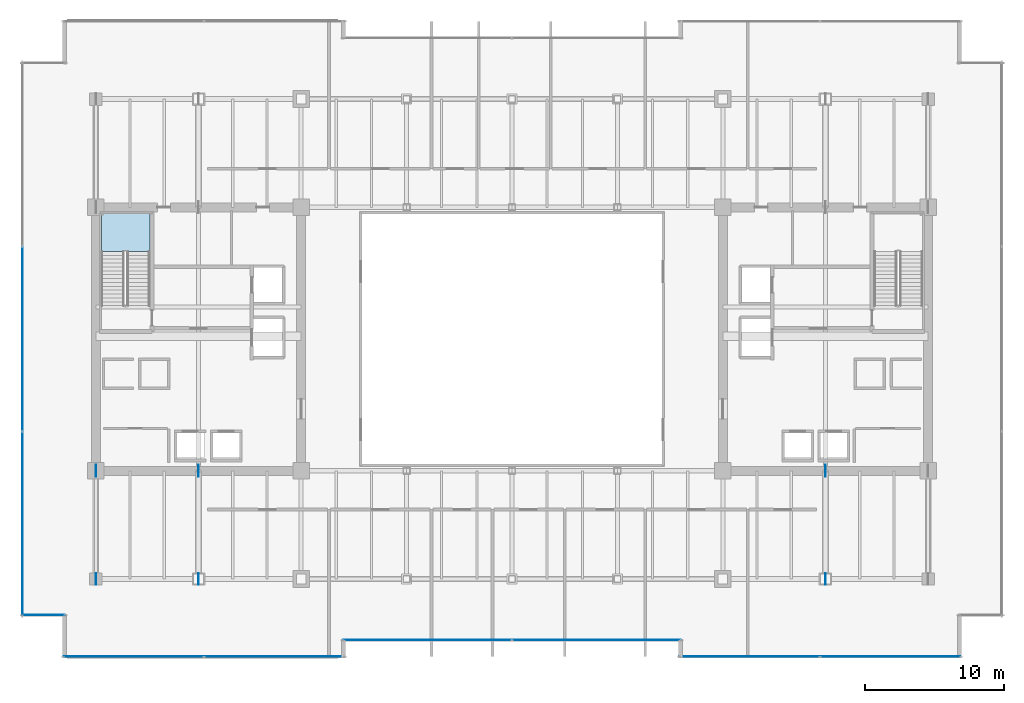
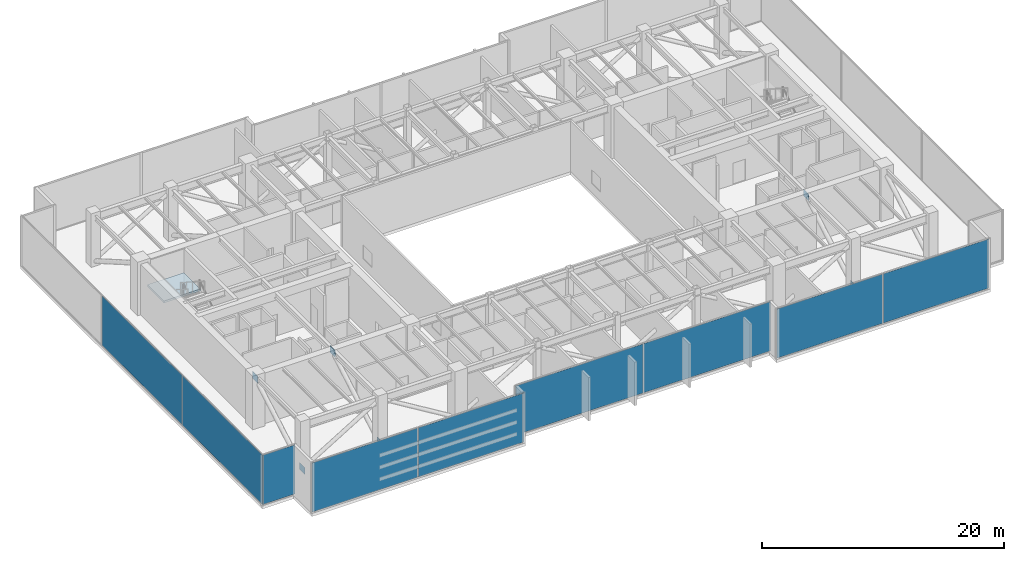
# One storey, part 24 of 34: 15 plates, 1 slab, 6 elements without a shape of their own.
"""IFC4 building model written with IfcOpenShell, lengths in metres."""

from ifc_helpers import new_model, si_unit, direction, frame, origin, origin_2d, place, context, subcontext, project, spatial, polyline, rectangle, outline, extrude, source, transform, mapped, material, layer, layer_set, type_object, type_shapes, element, aggregate, save


model = new_model("IFC4")

# Units and contexts
model_context = context("Model", 3, precision=1e-05, world=origin(), true_north=direction((0.0, 1.0)))
body_context = subcontext(model_context, "Body", "Model", "MODEL_VIEW")
ifc_project = project(units=[si_unit("LENGTHUNIT", "METRE"), si_unit("AREAUNIT", "SQUARE_METRE"), si_unit("VOLUMEUNIT", "CUBIC_METRE"), si_unit("PLANEANGLEUNIT", "RADIAN"), si_unit("MASSUNIT", "GRAM", prefix="KILO")], contexts=[model_context])

# Site, building, storey
site_placement = place(None, origin())
site = spatial("IfcSite", under=ifc_project, at=site_placement, CompositionType="ELEMENT")
building_placement = place(site_placement, origin())
building = spatial("IfcBuilding", under=site, at=building_placement, Name="Haelvirn Gate Laboratories", CompositionType="ELEMENT")
storey_placement = place(building_placement, frame((0.0, 0.0, 191.199951171875)))
storey = spatial("IfcBuildingStorey", under=building, at=storey_placement, Name="L46", CompositionType="ELEMENT", Elevation=191.199951171875)

# Stair, slab
ifc_material_1 = material(Name="Concrete C40/50", Category="concrete")
stair_type = type_object("IfcStairType", Name="ST-DOG-1650-R30", PredefinedType="HALF_TURN_STAIR", material=ifc_material_1)
stair_placement = place(storey_placement, origin())
stair = element("IfcStair", 1, at=stair_placement, inside=storey, type_object=stair_type, Name="L46 Escape Stair ST1", PredefinedType="HALF_TURN_STAIR")
ifc_layer_1 = layer(ifc_material_1, 0.199951171875, Name="SL-STAIR-LND")
ifc_layer_set_1 = layer_set([ifc_layer_1], Name="Concrete C40/50")
slab_type = type_object("IfcSlabType", Name="SL-STAIR-LND", PredefinedType="LANDING", material=ifc_layer_set_1)
slab_placement = place(storey_placement, frame((0.0, 0.0, 2.5)))
slab = element("IfcSlab", 2, at=slab_placement, type_object=slab_type, Name="ST1 landing 1", PredefinedType="LANDING", context=body_context, shape_type="SweptSolid", body=[
    extrude(outline(polyline([(11.300048828125, 30.6201171875), (11.300048828125, 33.35009765625), (7.800048828125, 33.35009765625), (7.800048828125, 30.6201171875), (11.300048828125, 30.6201171875)])), origin(), (0.0, 0.0, 1.0), 0.199951171875),
])
aggregate(stair, [slab])

# Plates
ifc_material_2 = material(Name="Steel SM420", Category="steel")
ifc_layer_2 = layer(ifc_material_2, 0.030029296875, Name="PL-NODE-ON2")
ifc_layer_set_2 = layer_set([ifc_layer_2], Name="Steel SM420")
plate_type_1 = type_object("IfcPlateType", Name="PL-NODE-ON2", PredefinedType="USERDEFINED", material=ifc_layer_set_2)
shared_shape_1 = source(origin(), body_context, "Body", "SweptSolid", [
    extrude(rectangle(XDim=0.85009765625, YDim=0.030029296875, at=origin_2d()), origin(), (0.0, 0.0, 1.0), 0.699951171875),
])
type_shapes(plate_type_1, [shared_shape_1])
for number, where, z_axis, x_axis, name in (
    (3, (7.39990234375, 14.800048828125, 4.39990234375), (0.0, 0.0, 1.0), (0.0, 1.0, 0.0), "L46 Steel Truss Node Plate ON2"),
    (4, (7.39990234375, 7.0, -0.10009765625), (0.0, 0.0, 1.0), (0.0, 1.0, 0.0), "L46 Steel Truss Node Plate ON2"),
    (5, (14.800048828125, 14.800048828125, 4.39990234375), (0.0, 0.0, 1.0), (0.0, 1.0, 0.0), "L46 Steel Truss Node Plate ON2"),
    (6, (14.800048828125, 7.0, -0.10009765625), (0.0, 0.0, 1.0), (0.0, 1.0, 0.0), "L46 Steel Truss Node Plate ON2"),
    (7, (60.0, 14.800048828125, 4.39990234375), (0.0, 0.0, 1.0), (0.0, 1.0, 0.0), "L46 Steel Truss Node Plate ON2"),
    (8, (60.0, 7.0, -0.10009765625), (0.0, 0.0, 1.0), (0.0, 1.0, 0.0), "L46 Steel Truss Node Plate ON2"),
):
    element("IfcPlate", number, at=place(storey_placement, frame(where, z_axis=z_axis, x_axis=x_axis)), inside=storey, type_object=plate_type_1, Name=name, ObjectType="GUSSET_PLATE", PredefinedType="USERDEFINED", context=body_context, shape_type="MappedRepresentation", body=[
        mapped(shared_shape_1, transform((0.0, 0.0, 0.0), scale=1.0)),
    ])

# Curtain wall, plates
ifc_material_3 = material(Name="Anodised bronze unitised aluminium & triple low-E glass", Category="aluminium")
ifc_layer_3 = layer(ifc_material_3, 0.179931640625, Name="CW-SYS-3")
ifc_layer_set_3 = layer_set([ifc_layer_3], Name="Anodised bronze unitised aluminium & triple low-E glass")
curtain_wall_type_1 = type_object("IfcCurtainWallType", Name="CW-SYS-3", PredefinedType="NOTDEFINED", material=ifc_layer_set_3)
curtain_wall_1_placement = place(storey_placement, origin())
curtain_wall_1 = element("IfcCurtainWall", 9, at=curtain_wall_1_placement, inside=storey, type_object=curtain_wall_type_1, Name="L46 Unitised Curtain Wall CW-L46-P0-E00-1", PredefinedType="NOTDEFINED")
ifc_material_4 = material(Name="High-selectivity bronze triple IGU 40 mm", Category="glass")
ifc_layer_4 = layer(ifc_material_4, 0.0400390625, Name="CWP-IGU-40")
ifc_layer_set_4 = layer_set([ifc_layer_4], Name="High-selectivity bronze triple IGU 40 mm")
plate_type_2 = type_object("IfcPlateType", Name="CWP-IGU-40", PredefinedType="CURTAIN_PANEL", material=ifc_layer_set_4)
shared_shape_2 = source(origin(), body_context, "Body", "SweptSolid", [
    extrude(rectangle(XDim=10.08740234375, YDim=0.0400390625, at=origin_2d()), origin(), (0.0, 0.0, 1.0), 4.969970703125),
])
plate_1_placement = place(storey_placement, frame((10.11865234375, 1.39990234375, 0.06494140625), z_axis=(0.0, 0.0, 1.0), x_axis=(1.0, 0.0, 0.0)))
plate_1 = element("IfcPlate", 10, at=plate_1_placement, type_object=plate_type_2, Name="CW3 panel 1.1", PredefinedType="CURTAIN_PANEL", context=body_context, shape_type="MappedRepresentation", body=[
    mapped(shared_shape_2, transform((0.0, 0.0, 0.0), scale=1.0)),
])
plate_2_placement = place(storey_placement, frame((20.28125, 1.39990234375, 0.06494140625), z_axis=(0.0, 0.0, 1.0), x_axis=(1.0, 0.0, 0.0)))
plate_2 = element("IfcPlate", 11, at=plate_2_placement, type_object=plate_type_2, Name="CW3 panel 2.1", PredefinedType="CURTAIN_PANEL", context=body_context, shape_type="MappedRepresentation", body=[
    mapped(shared_shape_2, transform((0.0, 0.0, 0.0), scale=1.0)),
])
aggregate(curtain_wall_1, [plate_1, plate_2])

curtain_wall_2_placement = place(storey_placement, origin())
curtain_wall_2 = element("IfcCurtainWall", 12, at=curtain_wall_2_placement, inside=storey, type_object=curtain_wall_type_1, Name="L46 Unitised Curtain Wall CW-L46-P0-E04-1", PredefinedType="NOTDEFINED")
plate_3_placement = place(storey_placement, frame((54.518798828125, 1.39990234375, 0.06494140625), z_axis=(0.0, 0.0, 1.0), x_axis=(1.0, 0.0, 0.0)))
plate_3 = element("IfcPlate", 13, at=plate_3_placement, type_object=plate_type_2, Name="CW3 panel 1.1", PredefinedType="CURTAIN_PANEL", context=body_context, shape_type="MappedRepresentation", body=[
    mapped(shared_shape_2, transform((0.0, 0.0, 0.0), scale=1.0)),
])
plate_4_placement = place(storey_placement, frame((64.68115234375, 1.39990234375, 0.06494140625), z_axis=(0.0, 0.0, 1.0), x_axis=(1.0, 0.0, 0.0)))
plate_4 = element("IfcPlate", 14, at=plate_4_placement, type_object=plate_type_2, Name="CW3 panel 2.1", PredefinedType="CURTAIN_PANEL", context=body_context, shape_type="MappedRepresentation", body=[
    mapped(shared_shape_2, transform((0.0, 0.0, 0.0), scale=1.0)),
])
aggregate(curtain_wall_2, [plate_3, plate_4])

curtain_wall_3_placement = place(storey_placement, origin())
curtain_wall_3 = element("IfcCurtainWall", 15, at=curtain_wall_3_placement, inside=storey, type_object=curtain_wall_type_1, Name="L46 Unitised Curtain Wall CW-L46-P0-E02-1", PredefinedType="NOTDEFINED")
shared_shape_3 = source(origin(), body_context, "Body", "SweptSolid", [
    extrude(rectangle(XDim=12.12744140625, YDim=0.0400390625, at=origin_2d()), origin(), (0.0, 0.0, 1.0), 4.969970703125),
])
plate_5_placement = place(storey_placement, frame((31.298828125, 2.60009765625, 0.06494140625), z_axis=(0.0, 0.0, 1.0), x_axis=(1.0, 0.0, 0.0)))
plate_5 = element("IfcPlate", 16, at=plate_5_placement, type_object=plate_type_2, Name="CW3 panel 1.1", PredefinedType="CURTAIN_PANEL", context=body_context, shape_type="MappedRepresentation", body=[
    mapped(shared_shape_3, transform((0.0, 0.0, 0.0), scale=1.0)),
])
plate_6_placement = place(storey_placement, frame((43.501220703125, 2.60009765625, 0.06494140625), z_axis=(0.0, 0.0, 1.0), x_axis=(1.0, 0.0, 0.0)))
plate_6 = element("IfcPlate", 17, at=plate_6_placement, type_object=plate_type_2, Name="CW3 panel 2.1", PredefinedType="CURTAIN_PANEL", context=body_context, shape_type="MappedRepresentation", body=[
    mapped(shared_shape_3, transform((0.0, 0.0, 0.0), scale=1.0)),
])
aggregate(curtain_wall_3, [plate_5, plate_6])

# Curtain wall, plate
ifc_layer_5 = layer(ifc_material_3, 0.181884765625, Name="CW-SYS-5")
ifc_layer_set_5 = layer_set([ifc_layer_5], Name="Anodised bronze unitised aluminium & triple low-E glass")
curtain_wall_type_2 = type_object("IfcCurtainWallType", Name="CW-SYS-5", PredefinedType="NOTDEFINED", material=ifc_layer_set_5)
curtain_wall_4_placement = place(storey_placement, origin())
curtain_wall_4 = element("IfcCurtainWall", 18, at=curtain_wall_4_placement, inside=storey, type_object=curtain_wall_type_2, Name="L46 Unitised Curtain Wall CW-L46-P0-E18-1", PredefinedType="NOTDEFINED")
ifc_material_5 = material(Name="Clear low-iron notched-corner triple IGU 42 mm", Category="glass")
ifc_layer_6 = layer(ifc_material_5, 0.0419921875, Name="CWP-NTC-42")
ifc_layer_set_6 = layer_set([ifc_layer_6], Name="Clear low-iron notched-corner triple IGU 42 mm")
plate_type_3 = type_object("IfcPlateType", Name="CWP-NTC-42", PredefinedType="CURTAIN_PANEL", material=ifc_layer_set_6)
shared_shape_4 = source(origin(), body_context, "Body", "SweptSolid", [
    extrude(rectangle(XDim=3.080078125, YDim=0.0419921875, at=origin_2d()), origin(), (0.0, 0.0, 1.0), 4.969970703125),
])
type_shapes(plate_type_3, [shared_shape_4])
plate_7_placement = place(storey_placement, frame((3.6201171875, 4.39990234375, 0.06494140625), z_axis=(0.0, 0.0, 1.0), x_axis=(1.0, 0.0, 0.0)))
plate_7 = element("IfcPlate", 19, at=plate_7_placement, type_object=plate_type_3, Name="CW5 panel 1.1", PredefinedType="CURTAIN_PANEL", context=body_context, shape_type="MappedRepresentation", body=[
    mapped(shared_shape_4, transform((0.0, 0.0, 0.0), scale=1.0)),
])
aggregate(curtain_wall_4, [plate_7])

# Curtain wall, plates
curtain_wall_5_placement = place(storey_placement, origin())
curtain_wall_5 = element("IfcCurtainWall", 20, at=curtain_wall_5_placement, inside=storey, type_object=curtain_wall_type_1, Name="L46 Unitised Curtain Wall CW-L46-P0-E17", PredefinedType="NOTDEFINED")
shared_shape_5 = source(origin(), body_context, "Body", "SweptSolid", [
    extrude(rectangle(XDim=13.220947265625, YDim=0.0400390625, at=origin_2d()), origin(), (0.0, 0.0, 1.0), 4.969970703125),
])
plate_8_placement = place(storey_placement, frame((2.10009765625, 10.9853515625, 0.06494140625), z_axis=(0.0, 0.0, 1.0), x_axis=(0.0, -1.0, 0.0)))
plate_8 = element("IfcPlate", 21, at=plate_8_placement, type_object=plate_type_2, Name="CW3 panel 3.1", PredefinedType="CURTAIN_PANEL", context=body_context, shape_type="MappedRepresentation", body=[
    mapped(shared_shape_5, transform((0.0, 0.0, 0.0), scale=1.0)),
])
shared_shape_6 = source(origin(), body_context, "Body", "SweptSolid", [
    extrude(rectangle(XDim=13.25830078125, YDim=0.0400390625, at=origin_2d()), origin(), (0.0, 0.0, 1.0), 4.969970703125),
])
type_shapes(plate_type_2, [shared_shape_2, shared_shape_3, shared_shape_5, shared_shape_6])
plate_9_placement = place(storey_placement, frame((2.10009765625, 24.300048828125, 0.06494140625), z_axis=(0.0, 0.0, 1.0), x_axis=(0.0, -1.0, 0.0)))
plate_9 = element("IfcPlate", 22, at=plate_9_placement, type_object=plate_type_2, Name="CW3 panel 2.1", PredefinedType="CURTAIN_PANEL", context=body_context, shape_type="MappedRepresentation", body=[
    mapped(shared_shape_6, transform((0.0, 0.0, 0.0), scale=1.0)),
])
aggregate(curtain_wall_5, [plate_9, plate_8])

save(model, "model.ifc")
